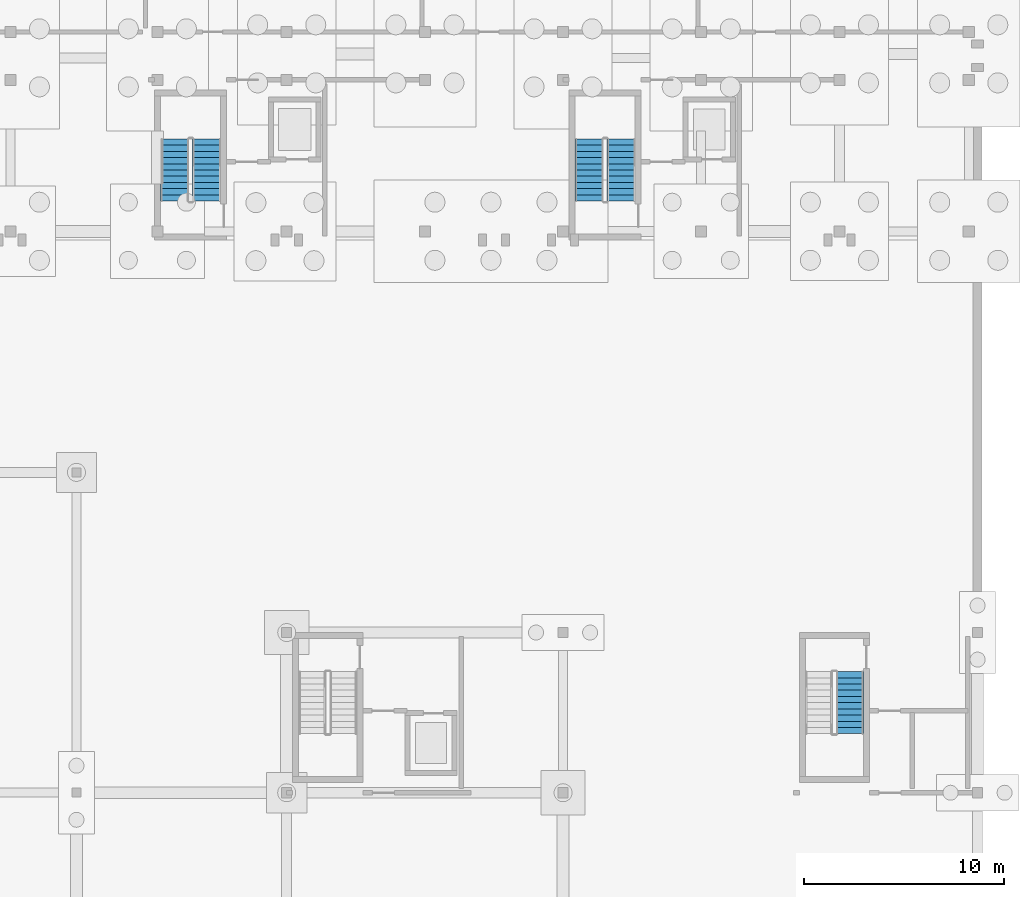
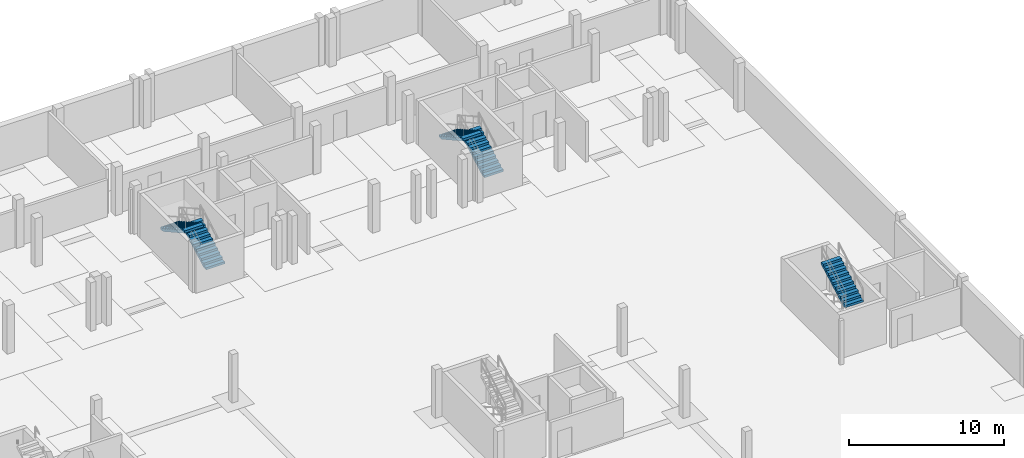
# One storey, part 31 of 38: 5 stair flights, 3 elements without a shape of their own.
"""IFC4 building model written with IfcOpenShell, lengths in metres."""

from ifc_helpers import new_model, si_unit, direction, frame, origin, place, context, subcontext, project, spatial, polyline, outline, extrude, material, type_object, element, aggregate, save


model = new_model("IFC4")

# Units and contexts
model_context = context("Model", 3, precision=1e-05, world=origin(), true_north=direction((0.0, 1.0)))
body_context = subcontext(model_context, "Body", "Model", "MODEL_VIEW")
ifc_project = project(units=[si_unit("LENGTHUNIT", "METRE"), si_unit("AREAUNIT", "SQUARE_METRE"), si_unit("VOLUMEUNIT", "CUBIC_METRE"), si_unit("PLANEANGLEUNIT", "RADIAN"), si_unit("MASSUNIT", "GRAM", prefix="KILO")], contexts=[model_context])

# Site, building, storey
site_placement = place(None, origin())
site = spatial("IfcSite", under=ifc_project, at=site_placement, CompositionType="ELEMENT")
building_placement = place(site_placement, origin())
building = spatial("IfcBuilding", under=site, at=building_placement, Name="Zavelmont Quarter", CompositionType="ELEMENT")
storey_placement = place(building_placement, frame((0.0, 0.0, -3.800048828125)))
storey = spatial("IfcBuildingStorey", under=building, at=storey_placement, Name="B01", CompositionType="ELEMENT", Elevation=-3.800048828125)

# Stair, stair flight
ifc_material = material(Name="Concrete C35/45", Category="concrete")
stair_type_1 = type_object("IfcStairType", Name="STR-1350-1727", PredefinedType="HALF_TURN_STAIR", material=ifc_material)
stair_1_placement = place(storey_placement, origin())
stair_1 = element("IfcStair", 1, at=stair_1_placement, inside=storey, type_object=stair_type_1, Name="B01 protected stair ST12", PredefinedType="HALF_TURN_STAIR")
stair_flight_type_1 = type_object("IfcStairFlightType", Name="STF-1350-1727", PredefinedType="STRAIGHT", material=ifc_material)
stair_flight_1_placement = place(storey_placement, frame((161.625, 72.949951171875, 1.900146484375), z_axis=(0.0, 0.0, 1.0), x_axis=(0.0, 1.0, 0.0)))
stair_flight_1 = element("IfcStairFlight", 2, at=stair_flight_1_placement, type_object=stair_flight_type_1, Name="ST12 flight 2", NumberOfRisers=11, NumberOfTreads=10, PredefinedType="STRAIGHT", RiserHeight=0.172727273, TreadLength=0.31, context=body_context, shape_type="SweptSolid", body=[
    extrude(outline(polyline([(0.0, 0.0), (0.0, 0.172607421875), (0.31005859375, 0.172607421875), (0.31005859375, 0.345458984375), (0.6201171875, 0.345458984375), (0.6201171875, 0.51806640625), (0.929931640625, 0.51806640625), (0.929931640625, 0.69091796875), (1.239990234375, 0.69091796875), (1.239990234375, 0.863525390625), (1.550048828125, 0.863525390625), (1.550048828125, 1.036376953125), (1.860107421875, 1.036376953125), (1.860107421875, 1.208984375), (2.169921875, 1.208984375), (2.169921875, 1.3818359375), (2.47998046875, 1.3818359375), (2.47998046875, 1.554443359375), (2.7900390625, 1.554443359375), (2.7900390625, 1.727294921875), (3.10009765625, 1.727294921875), (3.10009765625, 1.89990234375), (3.10009765625, 1.544189453125), (0.32861328125, 0.0), (0.0, 0.0)])), frame((0.0, 0.675048828125, 0.0), z_axis=(0.0, -1.0, 0.0), x_axis=(1.0, 0.0, 0.0)), (0.0, 0.0, 1.0), 1.35009765625),
])
aggregate(stair_1, [stair_flight_1])

# Stair, stair flights
stair_type_2 = type_object("IfcStairType", Name="STR-1400-1727", PredefinedType="HALF_TURN_STAIR", material=ifc_material)
stair_2_placement = place(storey_placement, origin())
stair_2 = element("IfcStair", 3, at=stair_2_placement, inside=storey, type_object=stair_type_2, Name="B01 protected stair ST05", PredefinedType="HALF_TURN_STAIR")
stair_flight_type_2 = type_object("IfcStairFlightType", Name="STF-1400-1727", PredefinedType="STRAIGHT", material=ifc_material)
stair_flight_2_placement = place(storey_placement, frame((129.5, 99.550048828125, 0.0), z_axis=(0.0, 0.0, 1.0), x_axis=(0.0, 1.0, 0.0)))
stair_flight_2 = element("IfcStairFlight", 4, at=stair_flight_2_placement, type_object=stair_flight_type_2, Name="ST05 flight 1", NumberOfRisers=11, NumberOfTreads=10, PredefinedType="STRAIGHT", RiserHeight=0.172727273, TreadLength=0.31, context=body_context, shape_type="SweptSolid", body=[
    extrude(outline(polyline([(0.0, 0.0), (0.0, 0.172607421875), (0.31005859375, 0.172607421875), (0.31005859375, 0.345458984375), (0.6201171875, 0.345458984375), (0.6201171875, 0.51806640625), (0.929931640625, 0.51806640625), (0.929931640625, 0.69091796875), (1.239990234375, 0.69091796875), (1.239990234375, 0.863525390625), (1.550048828125, 0.863525390625), (1.550048828125, 1.036376953125), (1.860107421875, 1.036376953125), (1.860107421875, 1.208984375), (2.169921875, 1.208984375), (2.169921875, 1.3818359375), (2.47998046875, 1.3818359375), (2.47998046875, 1.554443359375), (2.7900390625, 1.554443359375), (2.7900390625, 1.727294921875), (3.10009765625, 1.727294921875), (3.10009765625, 1.89990234375), (3.10009765625, 1.544189453125), (0.32861328125, 0.0), (0.0, 0.0)])), frame((0.0, 0.699951171875, 0.0), z_axis=(0.0, -1.0, 0.0), x_axis=(1.0, 0.0, 0.0)), (0.0, 0.0, 1.0), 1.39990234375),
])
stair_flight_3_placement = place(storey_placement, frame((127.89990234375, 102.64990234375, 1.900146484375), z_axis=(0.0, 0.0, 1.0), x_axis=(0.0, -1.0, 0.0)))
stair_flight_3 = element("IfcStairFlight", 5, at=stair_flight_3_placement, type_object=stair_flight_type_2, Name="ST05 flight 2", NumberOfRisers=11, NumberOfTreads=10, PredefinedType="STRAIGHT", RiserHeight=0.172727273, TreadLength=0.31, context=body_context, shape_type="SweptSolid", body=[
    extrude(outline(polyline([(0.0, 0.0), (0.0, 0.172607421875), (0.31005859375, 0.172607421875), (0.31005859375, 0.345458984375), (0.6201171875, 0.345458984375), (0.6201171875, 0.51806640625), (0.929931640625, 0.51806640625), (0.929931640625, 0.69091796875), (1.239990234375, 0.69091796875), (1.239990234375, 0.863525390625), (1.550048828125, 0.863525390625), (1.550048828125, 1.036376953125), (1.860107421875, 1.036376953125), (1.860107421875, 1.208984375), (2.169921875, 1.208984375), (2.169921875, 1.3818359375), (2.47998046875, 1.3818359375), (2.47998046875, 1.554443359375), (2.7900390625, 1.554443359375), (2.7900390625, 1.727294921875), (3.10009765625, 1.727294921875), (3.10009765625, 1.89990234375), (3.10009765625, 1.544189453125), (0.32861328125, 0.0), (0.0, 0.0)])), frame((0.0, 0.699951171875, 0.0), z_axis=(0.0, -1.0, 0.0), x_axis=(1.0, 0.0, 0.0)), (0.0, 0.0, 1.0), 1.39990234375),
])
aggregate(stair_2, [stair_flight_2, stair_flight_3])

stair_3_placement = place(storey_placement, origin())
stair_3 = element("IfcStair", 6, at=stair_3_placement, inside=storey, type_object=stair_type_2, Name="B01 protected stair ST06", PredefinedType="HALF_TURN_STAIR")
stair_flight_4_placement = place(storey_placement, frame((150.199951171875, 99.550048828125, 0.0), z_axis=(0.0, 0.0, 1.0), x_axis=(0.0, 1.0, 0.0)))
stair_flight_4 = element("IfcStairFlight", 7, at=stair_flight_4_placement, type_object=stair_flight_type_2, Name="ST06 flight 1", NumberOfRisers=11, NumberOfTreads=10, PredefinedType="STRAIGHT", RiserHeight=0.172727273, TreadLength=0.31, context=body_context, shape_type="SweptSolid", body=[
    extrude(outline(polyline([(0.0, 0.0), (0.0, 0.172607421875), (0.31005859375, 0.172607421875), (0.31005859375, 0.345458984375), (0.6201171875, 0.345458984375), (0.6201171875, 0.51806640625), (0.929931640625, 0.51806640625), (0.929931640625, 0.69091796875), (1.239990234375, 0.69091796875), (1.239990234375, 0.863525390625), (1.550048828125, 0.863525390625), (1.550048828125, 1.036376953125), (1.860107421875, 1.036376953125), (1.860107421875, 1.208984375), (2.169921875, 1.208984375), (2.169921875, 1.3818359375), (2.47998046875, 1.3818359375), (2.47998046875, 1.554443359375), (2.7900390625, 1.554443359375), (2.7900390625, 1.727294921875), (3.10009765625, 1.727294921875), (3.10009765625, 1.89990234375), (3.10009765625, 1.544189453125), (0.32861328125, 0.0), (0.0, 0.0)])), frame((0.0, 0.699951171875, 0.0), z_axis=(0.0, -1.0, 0.0), x_axis=(1.0, 0.0, 0.0)), (0.0, 0.0, 1.0), 1.39990234375),
])
stair_flight_5_placement = place(storey_placement, frame((148.60009765625, 102.64990234375, 1.900146484375), z_axis=(0.0, 0.0, 1.0), x_axis=(0.0, -1.0, 0.0)))
stair_flight_5 = element("IfcStairFlight", 8, at=stair_flight_5_placement, type_object=stair_flight_type_2, Name="ST06 flight 2", NumberOfRisers=11, NumberOfTreads=10, PredefinedType="STRAIGHT", RiserHeight=0.172727273, TreadLength=0.31, context=body_context, shape_type="SweptSolid", body=[
    extrude(outline(polyline([(0.0, 0.0), (0.0, 0.172607421875), (0.31005859375, 0.172607421875), (0.31005859375, 0.345458984375), (0.6201171875, 0.345458984375), (0.6201171875, 0.51806640625), (0.929931640625, 0.51806640625), (0.929931640625, 0.69091796875), (1.239990234375, 0.69091796875), (1.239990234375, 0.863525390625), (1.550048828125, 0.863525390625), (1.550048828125, 1.036376953125), (1.860107421875, 1.036376953125), (1.860107421875, 1.208984375), (2.169921875, 1.208984375), (2.169921875, 1.3818359375), (2.47998046875, 1.3818359375), (2.47998046875, 1.554443359375), (2.7900390625, 1.554443359375), (2.7900390625, 1.727294921875), (3.10009765625, 1.727294921875), (3.10009765625, 1.89990234375), (3.10009765625, 1.544189453125), (0.32861328125, 0.0), (0.0, 0.0)])), frame((0.0, 0.699951171875, 0.0), z_axis=(0.0, -1.0, 0.0), x_axis=(1.0, 0.0, 0.0)), (0.0, 0.0, 1.0), 1.39990234375),
])
aggregate(stair_3, [stair_flight_4, stair_flight_5])

save(model, "model.ifc")
